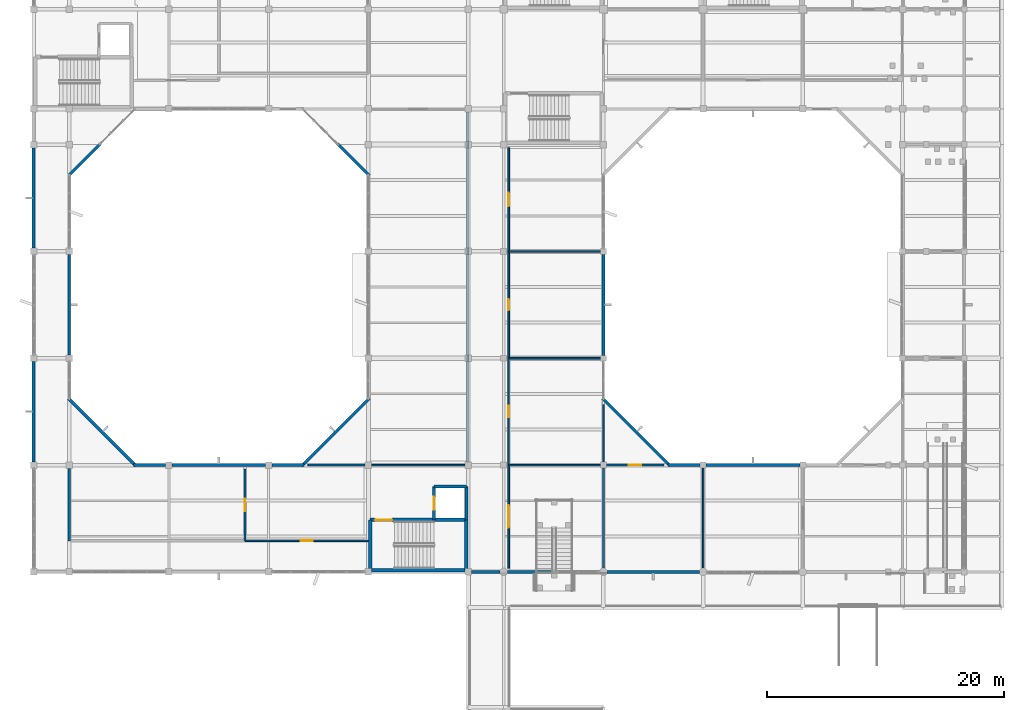
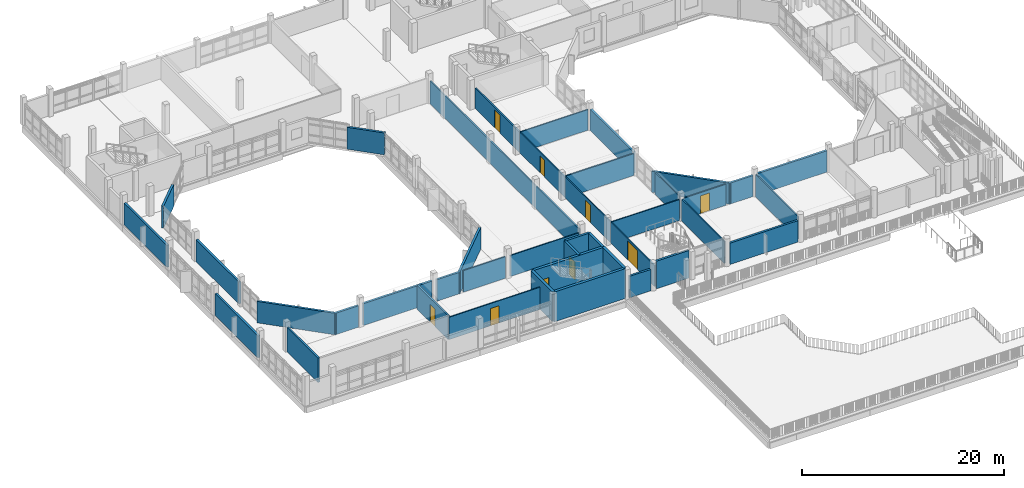
# One storey, part 30 of 51: 41 walls, 9 doors, 9 openings.
"""IFC4 building model written with IfcOpenShell, lengths in metres."""

from ifc_helpers import new_model, si_unit, direction, frame, frame_2d, origin, place, context, subcontext, project, spatial, rectangle, extrude, material, layer, layer_set, type_object, element, fill, save


model = new_model("IFC4")

# Units and contexts
model_context = context("Model", 3, precision=1e-05, world=origin(), true_north=direction((0.0, 1.0)))
body_context = subcontext(model_context, "Body", "Model", "MODEL_VIEW")
ifc_project = project(units=[si_unit("LENGTHUNIT", "METRE"), si_unit("AREAUNIT", "SQUARE_METRE"), si_unit("VOLUMEUNIT", "CUBIC_METRE"), si_unit("PLANEANGLEUNIT", "RADIAN"), si_unit("MASSUNIT", "GRAM", prefix="KILO")], contexts=[model_context])

# Site, building, storey
site_placement = place(None, origin())
site = spatial("IfcSite", under=ifc_project, at=site_placement, CompositionType="ELEMENT")
building_placement = place(site_placement, origin())
building = spatial("IfcBuilding", under=site, at=building_placement, Name="Vanh Quang Courtyard School", CompositionType="ELEMENT")
storey_placement = place(building_placement, frame((0.0, 0.0, 11.39990234375)))
storey = spatial("IfcBuildingStorey", under=building, at=storey_placement, Name="L03", CompositionType="ELEMENT", Elevation=11.39990234375)

# Wall, opening, door
ifc_material_1 = material(Name="Concrete C30/37", Category="concrete")
ifc_layer_1 = layer(ifc_material_1, 0.199951171875)
ifc_layer_set_1 = layer_set([ifc_layer_1], Name="Concrete C30/37")
wall_type_1 = type_object("IfcWallType", Name="W-COMP-200", PredefinedType="PARTITIONING", material=ifc_layer_set_1)
wall_1_placement = place(storey_placement, frame((55.60009765625, 41.080078125, 0.0), z_axis=(0.0, 0.0, 1.0), x_axis=(0.0, -1.0, 0.0)))
wall_1 = element("IfcWall", 1, at=wall_1_placement, inside=storey, type_object=wall_type_1, Name="Wall W-COMP1 (L03)", PredefinedType="PARTITIONING", context=body_context, shape_type="SweptSolid", body=[
    extrude(rectangle(XDim=6.06005859375, YDim=0.199951171875, at=frame_2d((3.030029296875, 0.0))), origin(), (0.0, 0.0, 1.0), 2.89013671875),
])
opening_1_placement = place(wall_1_placement, frame((2.5048828125, 0.0, 0.0)))
opening_1 = element("IfcOpeningElement", 2, at=opening_1_placement, cuts=wall_1, Name="Opening L03-D133", PredefinedType="OPENING", context=body_context, shape_type="SweptSolid", body=[
    extrude(rectangle(XDim=1.050048828125, YDim=2.14990234375, at=frame_2d((0.52490234375, 1.074951171875))), frame((0.0, 0.10986328125, 0.0), z_axis=(0.0, -1.0, 0.0), x_axis=(1.0, 0.0, 0.0)), (0.0, 0.0, 1.0), 0.219970703125),
])
ifc_material_2 = material(Name="Painted galvanised steel fire door", Category="steel")
door_type_1 = type_object("IfcDoorType", Name="IDR-FD-1050x2150", OperationType="NOTDEFINED", PredefinedType="DOOR", material=ifc_material_2)
door_1_placement = place(opening_1_placement, origin())
door_1 = element("IfcDoor", 3, at=door_1_placement, inside=storey, type_object=door_type_1, Name="Door L03-D133 (L03)", OperationType="SINGLE_SWING_RIGHT", OverallHeight=2.14990234375, OverallWidth=1.050048828125, PredefinedType="DOOR", context=body_context, shape_type="SweptSolid", body=[
    extrude(rectangle(XDim=1.050048828125, YDim=2.14990234375, at=frame_2d((0.52490234375, 1.074951171875))), frame((0.0, 0.02490234375, 0.0), z_axis=(0.0, -1.0, 0.0), x_axis=(1.0, 0.0, 0.0)), (0.0, 0.0, 1.0), 0.050048828125),
])
fill(opening_1, door_1)

# Walls
wall_2_placement = place(storey_placement, frame((40.800048828125, 35.02001953125, 0.0), z_axis=(0.0, 0.0, 1.0), x_axis=(0.0, 1.0, 0.0)))
element("IfcWall", 4, at=wall_2_placement, inside=storey, type_object=wall_type_1, Name="Wall W-COMP1 (L03)", PredefinedType="PARTITIONING", context=body_context, shape_type="SweptSolid", body=[
    extrude(rectangle(XDim=6.10693359375, YDim=0.199951171875, at=frame_2d((3.053466796875, 0.0))), origin(), (0.0, 0.0, 1.0), 2.940185546875),
])
ifc_material_3 = material(Name="Concrete C35/45", Category="concrete")
ifc_layer_2 = layer(ifc_material_3, 0.300048828125)
ifc_layer_set_2 = layer_set([ifc_layer_2], Name="Concrete C35/45")
wall_type_2 = type_object("IfcWallType", Name="W-CORE-300", PredefinedType="SHEAR", material=ifc_layer_set_2)
wall_3_placement = place(storey_placement, frame((66.139892578125, 32.5400390625, 0.0), z_axis=(0.0, 0.0, 1.0), x_axis=(1.0, 0.0, 0.0)))
element("IfcWall", 5, at=wall_3_placement, inside=storey, type_object=wall_type_2, Name="Wall W-CORE1 (L03)", PredefinedType="SHEAR", context=body_context, shape_type="SweptSolid", body=[
    extrude(rectangle(XDim=8.1201171875, YDim=0.300048828125, at=frame_2d((4.06005859375, 0.0))), origin(), (0.0, 0.0, 1.0), 3.60009765625),
])
wall_4_placement = place(storey_placement, frame((74.260009765625, 32.5400390625, 0.0), z_axis=(0.0, 0.0, 1.0), x_axis=(0.0, 1.0, 0.0)))
element("IfcWall", 6, at=wall_4_placement, inside=storey, type_object=wall_type_2, Name="Wall W-CORE1 (L03)", PredefinedType="SHEAR", context=body_context, shape_type="SweptSolid", body=[
    extrude(rectangle(XDim=4.239990234375, YDim=0.300048828125, at=frame_2d((2.1201171875, 0.0))), origin(), (0.0, 0.0, 1.0), 3.60009765625),
])

# Wall, opening, door
wall_5_placement = place(storey_placement, frame((74.260009765625, 36.780029296875, 0.0), z_axis=(0.0, 0.0, 1.0), x_axis=(-1.0, 0.0, 0.0)))
wall_5 = element("IfcWall", 7, at=wall_5_placement, inside=storey, type_object=wall_type_2, Name="Wall W-CORE1 (L03)", PredefinedType="SHEAR", context=body_context, shape_type="SweptSolid", body=[
    extrude(rectangle(XDim=8.1201171875, YDim=0.300048828125, at=frame_2d((4.06005859375, 0.0))), origin(), (0.0, 0.0, 1.0), 3.60009765625),
])
opening_2_placement = place(wall_5_placement, frame((6.27001953125, 0.0, 0.0)))
opening_2 = element("IfcOpeningElement", 8, at=opening_2_placement, cuts=wall_5, Name="Opening L03-DS4", PredefinedType="OPENING", context=body_context, shape_type="SweptSolid", body=[
    extrude(rectangle(XDim=1.419921875, YDim=2.14990234375, at=frame_2d((0.7099609375, 1.074951171875))), frame((0.0, 0.16015625, 0.0), z_axis=(0.0, -1.0, 0.0), x_axis=(1.0, 0.0, 0.0)), (0.0, 0.0, 1.0), 0.320068359375),
])
door_type_2 = type_object("IfcDoorType", Name="IDR-ST-1420x2150", OperationType="NOTDEFINED", PredefinedType="DOOR", material=ifc_material_2)
door_2_placement = place(opening_2_placement, frame((1.419921875, 0.0, 0.0), z_axis=(0.0, 0.0, 1.0), x_axis=(-1.0, 0.0, 0.0)))
door_2 = element("IfcDoor", 9, at=door_2_placement, inside=storey, type_object=door_type_2, Name="Door L03-DS4 (L03)", OperationType="SINGLE_SWING_LEFT", OverallHeight=2.14990234375, OverallWidth=1.419921875, PredefinedType="DOOR", context=body_context, shape_type="SweptSolid", body=[
    extrude(rectangle(XDim=1.419921875, YDim=2.14990234375, at=frame_2d((0.7099609375, 1.074951171875))), frame((0.0, 0.02490234375, 0.0), z_axis=(0.0, -1.0, 0.0), x_axis=(1.0, 0.0, 0.0)), (0.0, 0.0, 1.0), 0.050048828125),
])
fill(opening_2, door_2)

# Walls
wall_6_placement = place(storey_placement, frame((66.139892578125, 36.780029296875, 0.0), z_axis=(0.0, 0.0, 1.0), x_axis=(0.0, -1.0, 0.0)))
element("IfcWall", 10, at=wall_6_placement, inside=storey, type_object=wall_type_2, Name="Wall W-CORE1 (L03)", PredefinedType="SHEAR", context=body_context, shape_type="SweptSolid", body=[
    extrude(rectangle(XDim=4.239990234375, YDim=0.300048828125, at=frame_2d((2.1201171875, 0.0))), origin(), (0.0, 0.0, 1.0), 3.60009765625),
])
ifc_material_4 = material(Name="Precast concrete C40/50", Category="concrete")
ifc_layer_3 = layer(ifc_material_4, 0.239990234375)
ifc_layer_set_3 = layer_set([ifc_layer_3], Name="Precast concrete C40/50")
wall_type_3 = type_object("IfcWallType", Name="W-EXT-240", PredefinedType="SOLIDWALL", material=ifc_layer_set_3)
wall_7_placement = place(storey_placement, frame((93.876953125, 32.39990234375, 0.0), z_axis=(0.0, 0.0, 1.0), x_axis=(-1.0, 0.0, 0.0)))
element("IfcWall", 11, at=wall_7_placement, inside=storey, type_object=wall_type_3, Name="Wall WE-03 (L03)", PredefinedType="SOLIDWALL", context=body_context, shape_type="SweptSolid", body=[
    extrude(rectangle(XDim=7.75390625, YDim=0.239990234375, at=frame_2d((3.876953125, 0.0))), origin(), (0.0, 0.0, 1.0), 2.580078125),
])
wall_8_placement = place(storey_placement, frame((81.427001953125, 32.39990234375, 0.0), z_axis=(0.0, 0.0, 1.0), x_axis=(-1.0, 0.0, 0.0)))
element("IfcWall", 12, at=wall_8_placement, inside=storey, type_object=wall_type_3, Name="Wall WE-03 (L03)", PredefinedType="SOLIDWALL", context=body_context, shape_type="SweptSolid", body=[
    extrude(rectangle(XDim=3.7041015625, YDim=0.239990234375, at=frame_2d((1.85205078125, 0.0))), origin(), (0.0, 0.0, 1.0), 3.340087890625),
])
wall_9_placement = place(storey_placement, frame((77.076904296875, 32.39990234375, 0.0), z_axis=(0.0, 0.0, 1.0), x_axis=(-1.0, 0.0, 0.0)))
element("IfcWall", 13, at=wall_9_placement, inside=storey, type_object=wall_type_3, Name="Wall WE-03 (L03)", PredefinedType="SOLIDWALL", context=body_context, shape_type="SweptSolid", body=[
    extrude(rectangle(XDim=2.40380859375, YDim=0.239990234375, at=frame_2d((1.201904296875, 0.0))), origin(), (0.0, 0.0, 1.0), 2.580078125),
])
for number, where, z_axis, x_axis, name in (
    (14, (37.800048828125, 41.673095703125, 0.0), (0.0, 0.0, 1.0), (0.0, 1.0, 0.0), "Wall WE-03 (L03)"),
    (15, (37.800048828125, 59.673095703125, 0.0), (0.0, 0.0, 1.0), (0.0, 1.0, 0.0), "Wall WE-03 (L03)"),
    (16, (40.800048828125, 59.126953125, 0.0), (0.0, 0.0, 1.0), (0.0, -1.0, 0.0), "Wall WE-03 (L03)"),
):
    element("IfcWall", number, at=place(storey_placement, frame(where, z_axis=z_axis, x_axis=x_axis)), inside=storey, type_object=wall_type_3, Name=name, PredefinedType="SOLIDWALL", context=body_context, shape_type="SweptSolid", body=[
        extrude(rectangle(XDim=8.453857421875, YDim=0.239990234375, at=frame_2d((4.22705078125, 0.0))), origin(), (0.0, 0.0, 1.0), 2.64013671875),
    ])
wall_10_placement = place(storey_placement, frame((40.715087890625, 47.02880859375, 0.0), z_axis=(0.0, 0.0, 1.0), x_axis=(0.707121887885, -0.707091674165, 0.0)))
element("IfcWall", 17, at=wall_10_placement, inside=storey, type_object=wall_type_3, Name="Wall WE-03 (L03)", PredefinedType="SOLIDWALL", context=body_context, shape_type="SweptSolid", body=[
    extrude(rectangle(XDim=8.08056640625, YDim=0.239990234375, at=frame_2d((4.040283203125, 0.0))), origin(), (0.0, 0.0, 1.0), 2.590087890625),
])
wall_11_placement = place(storey_placement, frame((46.22412109375, 41.39990234375, 0.0), z_axis=(0.0, 0.0, 1.0), x_axis=(1.0, 0.0, 0.0)))
element("IfcWall", 18, at=wall_11_placement, inside=storey, type_object=wall_type_3, Name="Wall WE-03 (L03)", PredefinedType="SOLIDWALL", context=body_context, shape_type="SweptSolid", body=[
    extrude(rectangle(XDim=2.702880859375, YDim=0.239990234375, at=frame_2d((1.3515625, 0.0))), origin(), (0.0, 0.0, 1.0), 2.590087890625),
])
wall_12_placement = place(storey_placement, frame((49.472900390625, 41.39990234375, 0.0), z_axis=(0.0, 0.0, 1.0), x_axis=(1.0, 0.0, 0.0)))
element("IfcWall", 19, at=wall_12_placement, inside=storey, type_object=wall_type_3, Name="Wall WE-03 (L03)", PredefinedType="SOLIDWALL", context=body_context, shape_type="SweptSolid", body=[
    extrude(rectangle(XDim=7.85400390625, YDim=0.239990234375, at=frame_2d((3.927001953125, 0.0))), origin(), (0.0, 0.0, 1.0), 2.64013671875),
])
wall_13_placement = place(storey_placement, frame((57.873046875, 41.39990234375, 0.0), z_axis=(0.0, 0.0, 1.0), x_axis=(1.0, 0.0, 0.0)))
element("IfcWall", 20, at=wall_13_placement, inside=storey, type_object=wall_type_3, Name="Wall WE-03 (L03)", PredefinedType="SOLIDWALL", context=body_context, shape_type="SweptSolid", body=[
    extrude(rectangle(XDim=2.702880859375, YDim=0.239990234375, at=frame_2d((1.3515625, 0.0))), origin(), (0.0, 0.0, 1.0), 2.590087890625),
])
wall_14_placement = place(storey_placement, frame((60.37109375, 41.315185546875, 0.0), z_axis=(0.0, 0.0, 1.0), x_axis=(0.707121887885, 0.707091674165, 0.0)))
element("IfcWall", 21, at=wall_14_placement, inside=storey, type_object=wall_type_3, Name="Wall WE-03 (L03)", PredefinedType="SOLIDWALL", context=body_context, shape_type="SweptSolid", body=[
    extrude(rectangle(XDim=8.08056640625, YDim=0.239990234375, at=frame_2d((4.040283203125, 0.0))), origin(), (0.0, 0.0, 1.0), 2.590087890625),
])
for number, where, z_axis, x_axis, name in (
    (22, (66.0849609375, 65.77099609375, 0.0), (0.0, 0.0, 1.0), (-0.707106781187, 0.707106781187, 0.0), "Wall WE-03 (L03)"),
    (23, (43.428955078125, 68.48486328125, 0.0), (0.0, 0.0, 1.0), (-0.707106781187, -0.707106781187, 0.0), "Wall WE-03 (L03)"),
):
    element("IfcWall", number, at=place(storey_placement, frame(where, z_axis=z_axis, x_axis=x_axis)), inside=storey, type_object=wall_type_3, Name=name, PredefinedType="SOLIDWALL", context=body_context, shape_type="SweptSolid", body=[
        extrude(rectangle(XDim=3.837890625, YDim=0.239990234375, at=frame_2d((1.9189453125, 0.0))), origin(), (0.0, 0.0, 1.0), 2.64013671875),
    ])
wall_15_placement = place(storey_placement, frame((85.800048828125, 59.152099609375, 0.0), z_axis=(0.0, 0.0, 1.0), x_axis=(0.0, -1.0, 0.0)))
element("IfcWall", 24, at=wall_15_placement, inside=storey, type_object=wall_type_3, Name="Wall WE-03 (L03)", PredefinedType="SOLIDWALL", context=body_context, shape_type="SweptSolid", body=[
    extrude(rectangle(XDim=8.504150390625, YDim=0.239990234375, at=frame_2d((4.251953125, 0.0))), origin(), (0.0, 0.0, 1.0), 2.580078125),
])
wall_16_placement = place(storey_placement, frame((85.715087890625, 47.02880859375, 0.0), z_axis=(0.0, 0.0, 1.0), x_axis=(0.707121887885, -0.707091674165, 0.0)))
element("IfcWall", 25, at=wall_16_placement, inside=storey, type_object=wall_type_3, Name="Wall WE-03 (L03)", PredefinedType="SOLIDWALL", context=body_context, shape_type="SweptSolid", body=[
    extrude(rectangle(XDim=8.08056640625, YDim=0.239990234375, at=frame_2d((4.040283203125, 0.0))), origin(), (0.0, 0.0, 1.0), 2.530029296875),
])
wall_17_placement = place(storey_placement, frame((91.22412109375, 41.39990234375, 0.0), z_axis=(0.0, 0.0, 1.0), x_axis=(1.0, 0.0, 0.0)))
element("IfcWall", 26, at=wall_17_placement, inside=storey, type_object=wall_type_3, Name="Wall WE-03 (L03)", PredefinedType="SOLIDWALL", context=body_context, shape_type="SweptSolid", body=[
    extrude(rectangle(XDim=2.727783203125, YDim=0.239990234375, at=frame_2d((1.36376953125, 0.0))), origin(), (0.0, 0.0, 1.0), 2.530029296875),
])
wall_18_placement = place(storey_placement, frame((94.447998046875, 41.39990234375, 0.0), z_axis=(0.0, 0.0, 1.0), x_axis=(1.0, 0.0, 0.0)))
element("IfcWall", 27, at=wall_18_placement, inside=storey, type_object=wall_type_3, Name="Wall WE-03 (L03)", PredefinedType="SOLIDWALL", context=body_context, shape_type="SweptSolid", body=[
    extrude(rectangle(XDim=7.904052734375, YDim=0.239990234375, at=frame_2d((3.9521484375, 0.0))), origin(), (0.0, 0.0, 1.0), 2.580078125),
])

# Wall, opening, door
ifc_material_5 = material(Name="Acoustic gypsum stud partition", Category="gypsum")
ifc_layer_4 = layer(ifc_material_5, 0.1201171875)
ifc_layer_set_4 = layer_set([ifc_layer_4], Name="Acoustic gypsum stud partition")
wall_type_4 = type_object("IfcWallType", Name="W-PART-120", PredefinedType="PARTITIONING", material=ifc_layer_set_4)
wall_19_placement = place(storey_placement, frame((66.0, 35.02001953125, 0.0), z_axis=(0.0, 0.0, 1.0), x_axis=(-1.0, 0.0, 0.0)))
wall_19 = element("IfcWall", 28, at=wall_19_placement, inside=storey, type_object=wall_type_4, Name="Wall W-PRT2 (L03)", PredefinedType="PARTITIONING", context=body_context, shape_type="SweptSolid", body=[
    extrude(rectangle(XDim=10.3798828125, YDim=0.1201171875, at=frame_2d((5.18994140625, 0.0))), origin(), (0.0, 0.0, 1.0), 2.690185546875),
])
opening_3_placement = place(wall_19_placement, frame((4.68994140625, 0.0, 0.0)))
opening_3 = element("IfcOpeningElement", 29, at=opening_3_placement, cuts=wall_19, Name="Opening L03-D134", PredefinedType="OPENING", context=body_context, shape_type="SweptSolid", body=[
    extrude(rectangle(XDim=1.0, YDim=2.10009765625, at=frame_2d((0.5, 1.050048828125))), frame((0.0, 0.070068359375, 0.0), z_axis=(0.0, -1.0, 0.0), x_axis=(1.0, 0.0, 0.0)), (0.0, 0.0, 1.0), 0.14013671875),
])
ifc_material_6 = material(Name="Solid-core hardwood acoustic door", Category="wood")
door_type_3 = type_object("IfcDoorType", Name="IDR-CLS-1000x2100", OperationType="NOTDEFINED", PredefinedType="DOOR", material=ifc_material_6)
door_3_placement = place(opening_3_placement, origin())
door_3 = element("IfcDoor", 30, at=door_3_placement, inside=storey, type_object=door_type_3, Name="Door L03-D134 (L03)", OperationType="SINGLE_SWING_LEFT", OverallHeight=2.10009765625, OverallWidth=1.0, PredefinedType="DOOR", context=body_context, shape_type="SweptSolid", body=[
    extrude(rectangle(XDim=1.0, YDim=2.10009765625, at=frame_2d((0.5, 1.050048828125))), frame((0.0, 0.02490234375, 0.0), z_axis=(0.0, -1.0, 0.0), x_axis=(1.0, 0.0, 0.0)), (0.0, 0.0, 1.0), 0.050048828125),
])
fill(opening_3, door_3)

# Walls
wall_20_placement = place(storey_placement, frame((74.126953125, 41.39990234375, 0.0), z_axis=(0.0, 0.0, 1.0), x_axis=(-1.0, 0.0, 0.0)))
element("IfcWall", 31, at=wall_20_placement, inside=storey, type_object=wall_type_4, Name="Wall W-PRT2 (L03)", PredefinedType="PARTITIONING", context=body_context, shape_type="SweptSolid", body=[
    extrude(rectangle(XDim=7.85400390625, YDim=0.1201171875, at=frame_2d((3.927001953125, 0.0))), origin(), (0.0, 0.0, 1.0), 2.530029296875),
])
wall_21_placement = place(storey_placement, frame((77.820068359375, 41.39990234375, 0.0), z_axis=(0.0, 0.0, 1.0), x_axis=(1.0, 0.0, 0.0)))
element("IfcWall", 32, at=wall_21_placement, inside=storey, type_object=wall_type_4, Name="Wall W-PRT2 (L03)", PredefinedType="PARTITIONING", context=body_context, shape_type="SweptSolid", body=[
    extrude(rectangle(XDim=7.73193359375, YDim=0.1201171875, at=frame_2d((3.865966796875, 0.0))), origin(), (0.0, 0.0, 1.0), 2.530029296875),
])

# Wall, opening, door
wall_22_placement = place(storey_placement, frame((77.820068359375, 41.419921875, 0.0), z_axis=(0.0, 0.0, 1.0), x_axis=(0.0, 1.0, 0.0)))
wall_22 = element("IfcWall", 33, at=wall_22_placement, inside=storey, type_object=wall_type_4, Name="Wall W-PRT2 (L03)", PredefinedType="PARTITIONING", context=body_context, shape_type="SweptSolid", body=[
    extrude(rectangle(XDim=8.97998046875, YDim=0.1201171875, at=frame_2d((4.489990234375, 0.0))), origin(), (0.0, 0.0, 1.0), 2.530029296875),
])
opening_4_placement = place(wall_22_placement, frame((4.0, 0.0, 0.0)))
opening_4 = element("IfcOpeningElement", 34, at=opening_4_placement, cuts=wall_22, Name="Opening L03-D139", PredefinedType="OPENING", context=body_context, shape_type="SweptSolid", body=[
    extrude(rectangle(XDim=0.97998046875, YDim=2.1201171875, at=frame_2d((0.489990234375, 1.06005859375))), frame((0.0, 0.070068359375, 0.0), z_axis=(0.0, -1.0, 0.0), x_axis=(1.0, 0.0, 0.0)), (0.0, 0.0, 1.0), 0.14013671875),
])
door_type_4 = type_object("IfcDoorType", Name="IDR-CLS-1050x2100", OperationType="NOTDEFINED", PredefinedType="DOOR", material=ifc_material_6)
door_4_placement = place(opening_4_placement, origin())
door_4 = element("IfcDoor", 35, at=door_4_placement, inside=storey, type_object=door_type_4, Name="Door L03-D139 (L03)", OperationType="SINGLE_SWING_RIGHT", OverallHeight=2.1201171875, OverallWidth=0.97998046875, PredefinedType="DOOR", context=body_context, shape_type="SweptSolid", body=[
    extrude(rectangle(XDim=0.97998046875, YDim=2.1201171875, at=frame_2d((0.489990234375, 1.06005859375))), frame((0.0, 0.02490234375, 0.0), z_axis=(0.0, -1.0, 0.0), x_axis=(1.0, 0.0, 0.0)), (0.0, 0.0, 1.0), 0.050048828125),
])
fill(opening_4, door_4)

# Walls
wall_23_placement = place(storey_placement, frame((85.800048828125, 46.491455078125, 0.0), z_axis=(0.0, 0.0, 1.0), x_axis=(0.0, -1.0, 0.0)))
element("IfcWall", 36, at=wall_23_placement, inside=storey, type_object=wall_type_4, Name="Wall W-PRT2 (L03)", PredefinedType="PARTITIONING", context=body_context, shape_type="SweptSolid", body=[
    extrude(rectangle(XDim=4.843505859375, YDim=0.1201171875, at=frame_2d((2.421875, 0.0))), origin(), (0.0, 0.0, 1.0), 2.630126953125),
])
wall_24_placement = place(storey_placement, frame((77.820068359375, 59.39990234375, 0.0), z_axis=(0.0, 0.0, 1.0), x_axis=(1.0, 0.0, 0.0)))
element("IfcWall", 37, at=wall_24_placement, inside=storey, type_object=wall_type_4, Name="Wall W-PRT2 (L03)", PredefinedType="PARTITIONING", context=body_context, shape_type="SweptSolid", body=[
    extrude(rectangle(XDim=7.73193359375, YDim=0.1201171875, at=frame_2d((3.865966796875, 0.0))), origin(), (0.0, 0.0, 1.0), 2.47998046875),
])
wall_25_placement = place(storey_placement, frame((94.199951171875, 41.152099609375, 0.0), z_axis=(0.0, 0.0, 1.0), x_axis=(0.0, -1.0, 0.0)))
element("IfcWall", 38, at=wall_25_placement, inside=storey, type_object=wall_type_4, Name="Wall W-PRT2 (L03)", PredefinedType="PARTITIONING", context=body_context, shape_type="SweptSolid", body=[
    extrude(rectangle(XDim=8.42919921875, YDim=0.1201171875, at=frame_2d((4.214599609375, 0.0))), origin(), (0.0, 0.0, 1.0), 2.68017578125),
])
ifc_material_7 = material(Name="Autoclaved aerated masonry blockwork", Category="masonry")
ifc_layer_5 = layer(ifc_material_7, 0.14990234375)
ifc_layer_set_5 = layer_set([ifc_layer_5], Name="Autoclaved aerated masonry blockwork")
wall_type_5 = type_object("IfcWallType", Name="W-PART-150", PredefinedType="PARTITIONING", material=ifc_layer_set_5)
wall_26_placement = place(storey_placement, frame((60.908447265625, 41.39990234375, 0.0), z_axis=(0.0, 0.0, 1.0), x_axis=(1.0, 0.0, 0.0)))
element("IfcWall", 39, at=wall_26_placement, inside=storey, type_object=wall_type_5, Name="Wall W-PRT1 (L03)", PredefinedType="PARTITIONING", context=body_context, shape_type="SweptSolid", body=[
    extrude(rectangle(XDim=4.818603515625, YDim=0.14990234375, at=frame_2d((2.4091796875, 0.0))), origin(), (0.0, 0.0, 1.0), 2.590087890625),
])
wall_27_placement = place(storey_placement, frame((74.3798828125, 71.126953125, 0.0), z_axis=(0.0, 0.0, 1.0), x_axis=(0.0, -1.0, 0.0)))
element("IfcWall", 40, at=wall_27_placement, inside=storey, type_object=wall_type_5, Name="Wall W-PRT1 (L03)", PredefinedType="PARTITIONING", context=body_context, shape_type="SweptSolid", body=[
    extrude(rectangle(XDim=29.453857421875, YDim=0.14990234375, at=frame_2d((14.72705078125, 0.0))), origin(), (0.0, 0.0, 1.0), 2.72998046875),
])

# Wall, opening, door
wall_28_placement = place(storey_placement, frame((77.820068359375, 32.722900390625, 0.0), z_axis=(0.0, 0.0, 1.0), x_axis=(0.0, 1.0, 0.0)))
wall_28 = element("IfcWall", 41, at=wall_28_placement, inside=storey, type_object=wall_type_5, Name="Wall W-PRT1 (L03)", PredefinedType="PARTITIONING", context=body_context, shape_type="SweptSolid", body=[
    extrude(rectangle(XDim=8.677001953125, YDim=0.14990234375, at=frame_2d((4.33837890625, 0.0))), origin(), (0.0, 0.0, 1.0), 2.530029296875),
])
opening_5_placement = place(wall_28_placement, frame((3.388427734375, 0.0, 0.0)))
opening_5 = element("IfcOpeningElement", 42, at=opening_5_placement, cuts=wall_28, Name="Opening L03-D138", PredefinedType="OPENING", context=body_context, shape_type="SweptSolid", body=[
    extrude(rectangle(XDim=1.89990234375, YDim=2.300048828125, at=frame_2d((0.949951171875, 1.14990234375))), frame((0.0, 0.0849609375, 0.0), z_axis=(0.0, -1.0, 0.0), x_axis=(1.0, 0.0, 0.0)), (0.0, 0.0, 1.0), 0.169921875),
])
door_type_5 = type_object("IfcDoorType", Name="IDR-HAL-1900x2300", OperationType="NOTDEFINED", PredefinedType="DOOR", material=ifc_material_2)
door_5_placement = place(opening_5_placement, origin())
door_5 = element("IfcDoor", 43, at=door_5_placement, inside=storey, type_object=door_type_5, Name="Door L03-D138 (L03)", OperationType="DOUBLE_DOOR_SINGLE_SWING", OverallHeight=2.300048828125, OverallWidth=1.89990234375, PredefinedType="DOOR", context=body_context, shape_type="SweptSolid", body=[
    extrude(rectangle(XDim=1.89990234375, YDim=2.300048828125, at=frame_2d((0.949951171875, 1.14990234375))), frame((0.0, 0.02490234375, 0.0), z_axis=(0.0, -1.0, 0.0), x_axis=(1.0, 0.0, 0.0)), (0.0, 0.0, 1.0), 0.050048828125),
])
fill(opening_5, door_5)

# Walls
wall_29_placement = place(storey_placement, frame((85.800048828125, 41.152099609375, 0.0), z_axis=(0.0, 0.0, 1.0), x_axis=(0.0, -1.0, 0.0)))
element("IfcWall", 44, at=wall_29_placement, inside=storey, type_object=wall_type_5, Name="Wall W-PRT1 (L03)", PredefinedType="PARTITIONING", context=body_context, shape_type="SweptSolid", body=[
    extrude(rectangle(XDim=8.42919921875, YDim=0.14990234375, at=frame_2d((4.214599609375, 0.0))), origin(), (0.0, 0.0, 1.0), 2.630126953125),
])
wall_30_placement = place(storey_placement, frame((77.820068359375, 50.39990234375, 0.0), z_axis=(0.0, 0.0, 1.0), x_axis=(1.0, 0.0, 0.0)))
element("IfcWall", 45, at=wall_30_placement, inside=storey, type_object=wall_type_5, Name="Wall W-PRT1 (L03)", PredefinedType="PARTITIONING", context=body_context, shape_type="SweptSolid", body=[
    extrude(rectangle(XDim=7.73193359375, YDim=0.14990234375, at=frame_2d((3.865966796875, 0.0))), origin(), (0.0, 0.0, 1.0), 2.630126953125),
])

# Wall, opening, door
wall_31_placement = place(storey_placement, frame((77.820068359375, 50.419921875, 0.0), z_axis=(0.0, 0.0, 1.0), x_axis=(0.0, 1.0, 0.0)))
wall_31 = element("IfcWall", 46, at=wall_31_placement, inside=storey, type_object=wall_type_5, Name="Wall W-PRT1 (L03)", PredefinedType="PARTITIONING", context=body_context, shape_type="SweptSolid", body=[
    extrude(rectangle(XDim=8.97998046875, YDim=0.14990234375, at=frame_2d((4.489990234375, 0.0))), origin(), (0.0, 0.0, 1.0), 2.47998046875),
])
opening_6_placement = place(wall_31_placement, frame((4.0400390625, 0.0, 0.0)))
opening_6 = element("IfcOpeningElement", 47, at=opening_6_placement, cuts=wall_31, Name="Opening L03-D140", PredefinedType="OPENING", context=body_context, shape_type="SweptSolid", body=[
    extrude(rectangle(XDim=0.89990234375, YDim=2.050048828125, at=frame_2d((0.449951171875, 1.02490234375))), frame((0.0, 0.0849609375, 0.0), z_axis=(0.0, -1.0, 0.0), x_axis=(1.0, 0.0, 0.0)), (0.0, 0.0, 1.0), 0.169921875),
])
door_type_6 = type_object("IfcDoorType", Name="IDR-RS-0900x2050", OperationType="NOTDEFINED", PredefinedType="DOOR", material=ifc_material_2)
door_6_placement = place(opening_6_placement, origin())
door_6 = element("IfcDoor", 48, at=door_6_placement, inside=storey, type_object=door_type_6, Name="Door L03-D140 (L03)", OperationType="SINGLE_SWING_LEFT", OverallHeight=2.050048828125, OverallWidth=0.89990234375, PredefinedType="DOOR", context=body_context, shape_type="SweptSolid", body=[
    extrude(rectangle(XDim=0.89990234375, YDim=2.050048828125, at=frame_2d((0.449951171875, 1.02490234375))), frame((0.0, 0.02490234375, 0.0), z_axis=(0.0, -1.0, 0.0), x_axis=(1.0, 0.0, 0.0)), (0.0, 0.0, 1.0), 0.050048828125),
])
fill(opening_6, door_6)

wall_32_placement = place(storey_placement, frame((77.820068359375, 59.419921875, 0.0), z_axis=(0.0, 0.0, 1.0), x_axis=(0.0, 1.0, 0.0)))
wall_32 = element("IfcWall", 49, at=wall_32_placement, inside=storey, type_object=wall_type_5, Name="Wall W-PRT1 (L03)", PredefinedType="PARTITIONING", context=body_context, shape_type="SweptSolid", body=[
    extrude(rectangle(XDim=8.70703125, YDim=0.14990234375, at=frame_2d((4.353515625, 0.0))), origin(), (0.0, 0.0, 1.0), 2.47998046875),
])
opening_7_placement = place(wall_32_placement, frame((3.778564453125, 0.0, 0.0)))
opening_7 = element("IfcOpeningElement", 50, at=opening_7_placement, cuts=wall_32, Name="Opening L03-D141", PredefinedType="OPENING", context=body_context, shape_type="SweptSolid", body=[
    extrude(rectangle(XDim=1.14990234375, YDim=2.14990234375, at=frame_2d((0.574951171875, 1.074951171875))), frame((0.0, 0.0849609375, 0.0), z_axis=(0.0, -1.0, 0.0), x_axis=(1.0, 0.0, 0.0)), (0.0, 0.0, 1.0), 0.169921875),
])
door_type_7 = type_object("IfcDoorType", Name="IDR-LAB-1150x2150", OperationType="NOTDEFINED", PredefinedType="DOOR", material=ifc_material_2)
door_7_placement = place(opening_7_placement, origin())
door_7 = element("IfcDoor", 51, at=door_7_placement, inside=storey, type_object=door_type_7, Name="Door L03-D141 (L03)", OperationType="SINGLE_SWING_RIGHT", OverallHeight=2.14990234375, OverallWidth=1.14990234375, PredefinedType="DOOR", context=body_context, shape_type="SweptSolid", body=[
    extrude(rectangle(XDim=1.14990234375, YDim=2.14990234375, at=frame_2d((0.574951171875, 1.074951171875))), frame((0.0, 0.02490234375, 0.0), z_axis=(0.0, -1.0, 0.0), x_axis=(1.0, 0.0, 0.0)), (0.0, 0.0, 1.0), 0.050048828125),
])
fill(opening_7, door_7)

wall_33_placement = place(storey_placement, frame((86.048095703125, 41.39990234375, 0.0), z_axis=(0.0, 0.0, 1.0), x_axis=(1.0, 0.0, 0.0)))
wall_33 = element("IfcWall", 52, at=wall_33_placement, inside=storey, type_object=wall_type_5, Name="Wall W-PRT1 (L03)", PredefinedType="PARTITIONING", context=body_context, shape_type="SweptSolid", body=[
    extrude(rectangle(XDim=4.843505859375, YDim=0.14990234375, at=frame_2d((2.421875, 0.0))), origin(), (0.0, 0.0, 1.0), 2.530029296875),
])
opening_8_placement = place(wall_33_placement, frame((1.896728515625, 0.0, 0.0)))
opening_8 = element("IfcOpeningElement", 53, at=opening_8_placement, cuts=wall_33, Name="Opening L03-D143", PredefinedType="OPENING", context=body_context, shape_type="SweptSolid", body=[
    extrude(rectangle(XDim=1.050048828125, YDim=2.14990234375, at=frame_2d((0.52490234375, 1.074951171875))), frame((0.0, 0.0849609375, 0.0), z_axis=(0.0, -1.0, 0.0), x_axis=(1.0, 0.0, 0.0)), (0.0, 0.0, 1.0), 0.169921875),
])
door_8_placement = place(opening_8_placement, origin())
door_8 = element("IfcDoor", 54, at=door_8_placement, inside=storey, type_object=door_type_1, Name="Door L03-D143 (L03)", OperationType="SINGLE_SWING_RIGHT", OverallHeight=2.14990234375, OverallWidth=1.050048828125, PredefinedType="DOOR", context=body_context, shape_type="SweptSolid", body=[
    extrude(rectangle(XDim=1.050048828125, YDim=2.14990234375, at=frame_2d((0.52490234375, 1.074951171875))), frame((0.0, 0.02490234375, 0.0), z_axis=(0.0, -1.0, 0.0), x_axis=(1.0, 0.0, 0.0)), (0.0, 0.0, 1.0), 0.050048828125),
])
fill(opening_8, door_8)

ifc_layer_6 = layer(ifc_material_3, 0.25)
ifc_layer_set_6 = layer_set([ifc_layer_6], Name="Concrete C35/45")
wall_type_6 = type_object("IfcWallType", Name="W-SHFT-250", PredefinedType="SHEAR", material=ifc_layer_set_6)
wall_34_placement = place(storey_placement, frame((71.52001953125, 39.580078125, 0.0), z_axis=(0.0, 0.0, 1.0), x_axis=(0.0, -1.0, 0.0)))
wall_34 = element("IfcWall", 55, at=wall_34_placement, inside=storey, type_object=wall_type_6, Name="Wall W-SHFT1 (L03)", PredefinedType="SHEAR", context=body_context, shape_type="SweptSolid", body=[
    extrude(rectangle(XDim=2.800048828125, YDim=0.25, at=frame_2d((1.39990234375, 0.0))), origin(), (0.0, 0.0, 1.0), 3.60009765625),
])
opening_9_placement = place(wall_34_placement, frame((0.85009765625, 0.0, 0.0)))
opening_9 = element("IfcOpeningElement", 56, at=opening_9_placement, cuts=wall_34, Name="Opening LD-04-L03", PredefinedType="OPENING", context=body_context, shape_type="SweptSolid", body=[
    extrude(rectangle(XDim=1.10009765625, YDim=2.14990234375, at=frame_2d((0.550048828125, 1.074951171875))), frame((0.0, 0.135009765625, 0.0), z_axis=(0.0, -1.0, 0.0), x_axis=(1.0, 0.0, 0.0)), (0.0, 0.0, 1.0), 0.27001953125),
])
door_type_8 = type_object("IfcDoorType", Name="IDR-LD-1100x2150", OperationType="NOTDEFINED", PredefinedType="DOOR", material=ifc_material_2)
door_9_placement = place(opening_9_placement, origin())
door_9 = element("IfcDoor", 57, at=door_9_placement, inside=storey, type_object=door_type_8, Name="Door LD-04-L03 (L03)", OperationType="DOUBLE_DOOR_SLIDING", OverallHeight=2.14990234375, OverallWidth=1.10009765625, PredefinedType="DOOR", context=body_context, shape_type="SweptSolid", body=[
    extrude(rectangle(XDim=1.10009765625, YDim=2.14990234375, at=frame_2d((0.550048828125, 1.074951171875))), frame((0.0, 0.02490234375, 0.0), z_axis=(0.0, -1.0, 0.0), x_axis=(1.0, 0.0, 0.0)), (0.0, 0.0, 1.0), 0.050048828125),
])
fill(opening_9, door_9)

# Walls
wall_35_placement = place(storey_placement, frame((74.260009765625, 39.580078125, 0.0), z_axis=(0.0, 0.0, 1.0), x_axis=(-1.0, 0.0, 0.0)))
element("IfcWall", 58, at=wall_35_placement, inside=storey, type_object=wall_type_6, Name="Wall W-SHFT1 (L03)", PredefinedType="SHEAR", context=body_context, shape_type="SweptSolid", body=[
    extrude(rectangle(XDim=2.739990234375, YDim=0.25, at=frame_2d((1.3701171875, 0.0))), origin(), (0.0, 0.0, 1.0), 3.60009765625),
])
wall_36_placement = place(storey_placement, frame((74.260009765625, 36.780029296875, 0.0), z_axis=(0.0, 0.0, 1.0), x_axis=(0.0, 1.0, 0.0)))
element("IfcWall", 59, at=wall_36_placement, inside=storey, type_object=wall_type_6, Name="Wall W-SHFT1 (L03)", PredefinedType="SHEAR", context=body_context, shape_type="SweptSolid", body=[
    extrude(rectangle(XDim=2.800048828125, YDim=0.25, at=frame_2d((1.39990234375, 0.0))), origin(), (0.0, 0.0, 1.0), 3.60009765625),
])

save(model, "model.ifc")
